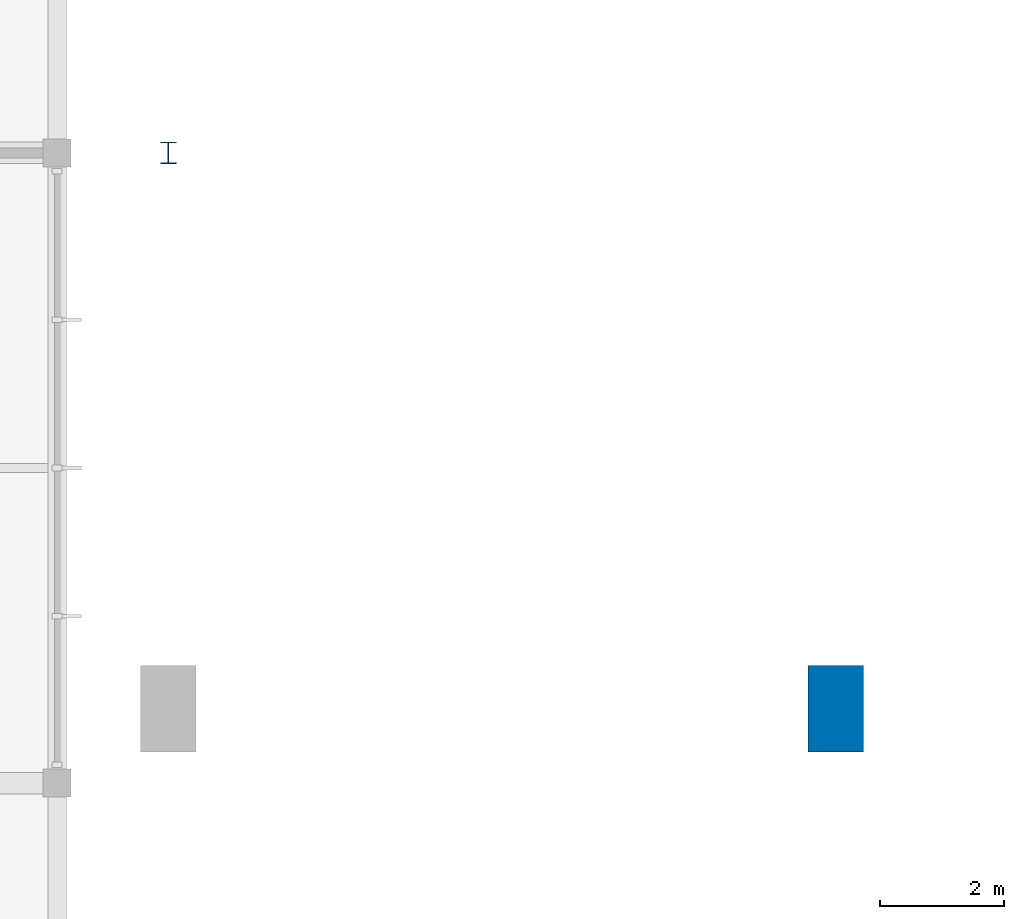
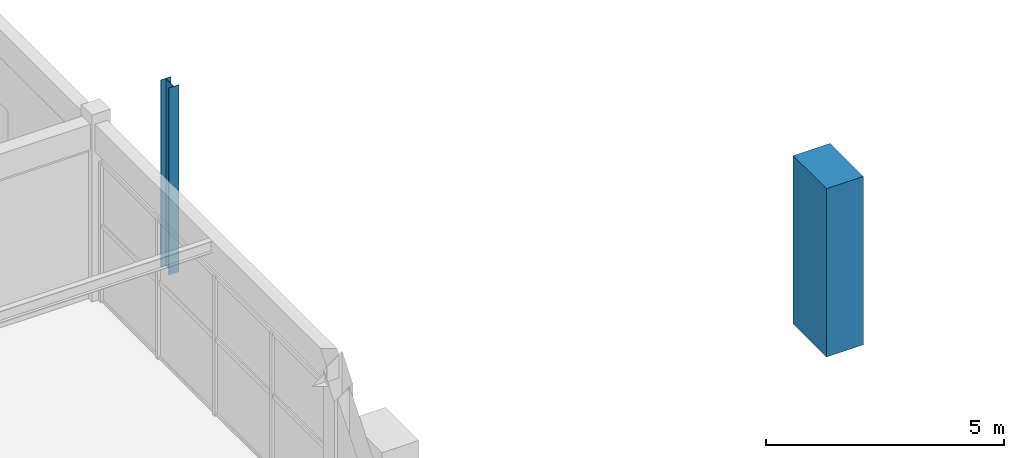
# One storey, part 2 of 74: 2 columns.
"""IFC4 building model written with IfcOpenShell, lengths in metres."""

from ifc_helpers import new_model, si_unit, direction, frame, origin, origin_2d, place, context, subcontext, project, spatial, rectangle, i_section, extrude, material, material_profile, profile_set, type_object, element, save


model = new_model("IFC4")

# Units and contexts
model_context = context("Model", 3, precision=1e-05, world=origin(), true_north=direction((0.0, 1.0)))
body_context = subcontext(model_context, "Body", "Model", "MODEL_VIEW")
ifc_project = project(units=[si_unit("LENGTHUNIT", "METRE"), si_unit("AREAUNIT", "SQUARE_METRE"), si_unit("VOLUMEUNIT", "CUBIC_METRE"), si_unit("PLANEANGLEUNIT", "RADIAN"), si_unit("MASSUNIT", "GRAM", prefix="KILO")], contexts=[model_context])

# Site, building, storey
site_placement = place(None, origin())
site = spatial("IfcSite", under=ifc_project, at=site_placement, CompositionType="ELEMENT")
building_placement = place(site_placement, origin())
building = spatial("IfcBuilding", under=site, at=building_placement, Name="Suirenkawa Promenade Aquatics Centre", CompositionType="ELEMENT")
storey_placement = place(building_placement, frame((0.0, 0.0, 4.800048828125)))
storey = spatial("IfcBuildingStorey", under=building, at=storey_placement, Name="L01", CompositionType="ELEMENT", Elevation=4.800048828125)

# Columns
ifc_material_1 = material(Name="Concrete M40", Category="concrete")
ifc_material_profile_1 = material_profile(ifc_material_1, rectangle(XDim=0.89990234375, YDim=1.39990234375, at=origin_2d()), Name="RC PIER 900x1400", Category="concrete")
ifc_profile_set_1 = profile_set([ifc_material_profile_1], Name="Concrete M40")
column_type_1 = type_object("IfcColumnType", Name="CT-PIER-900x1400", PredefinedType="COLUMN", material=ifc_profile_set_1)
column_1_placement = place(storey_placement, frame((57.60009765625, 50.39990234375, 0.0), z_axis=(0.0, 0.0, 1.0), x_axis=(1.0, 0.0, 0.0)))
element("IfcColumn", 1, at=column_1_placement, inside=storey, type_object=column_type_1, Name="Column CL-09 COL-0108", PredefinedType="COLUMN", context=body_context, shape_type="SweptSolid", body=[
    extrude(rectangle(XDim=0.89990234375, YDim=1.39990234375, at=origin_2d()), origin(), (0.0, 0.0, 1.0), 4.324951171875),
])
ifc_material_2 = material(Name="Steel IS 2062 E350 (Grade 350)", Category="steel")
ifc_material_profile_2 = material_profile(ifc_material_2, i_section(OverallWidth=0.25, OverallDepth=0.35009765625, WebThickness=0.010009765625, FlangeThickness=0.011962890625, at=origin_2d()), Name="ISHB 350", Category="steel")
ifc_profile_set_2 = profile_set([ifc_material_profile_2], Name="Steel IS 2062 E350 (Grade 350)")
column_type_2 = type_object("IfcColumnType", Name="CT-STL-ISHB350", PredefinedType="COLUMN", material=ifc_profile_set_2)
column_2_placement = place(storey_placement, frame((46.800048828125, 59.39990234375, 0.0), z_axis=(0.0, 0.0, 1.0), x_axis=(1.0, 0.0, 0.0)))
element("IfcColumn", 2, at=column_2_placement, inside=storey, type_object=column_type_2, Name="Column CL-12 COL-0787", PredefinedType="COLUMN", context=body_context, shape_type="SweptSolid", body=[
    extrude(i_section(OverallWidth=0.25, OverallDepth=0.35009765625, WebThickness=0.010009765625, FlangeThickness=0.011962890625, at=origin_2d()), origin(), (0.0, 0.0, 1.0), 4.800048828125),
])

save(model, "model.ifc")
